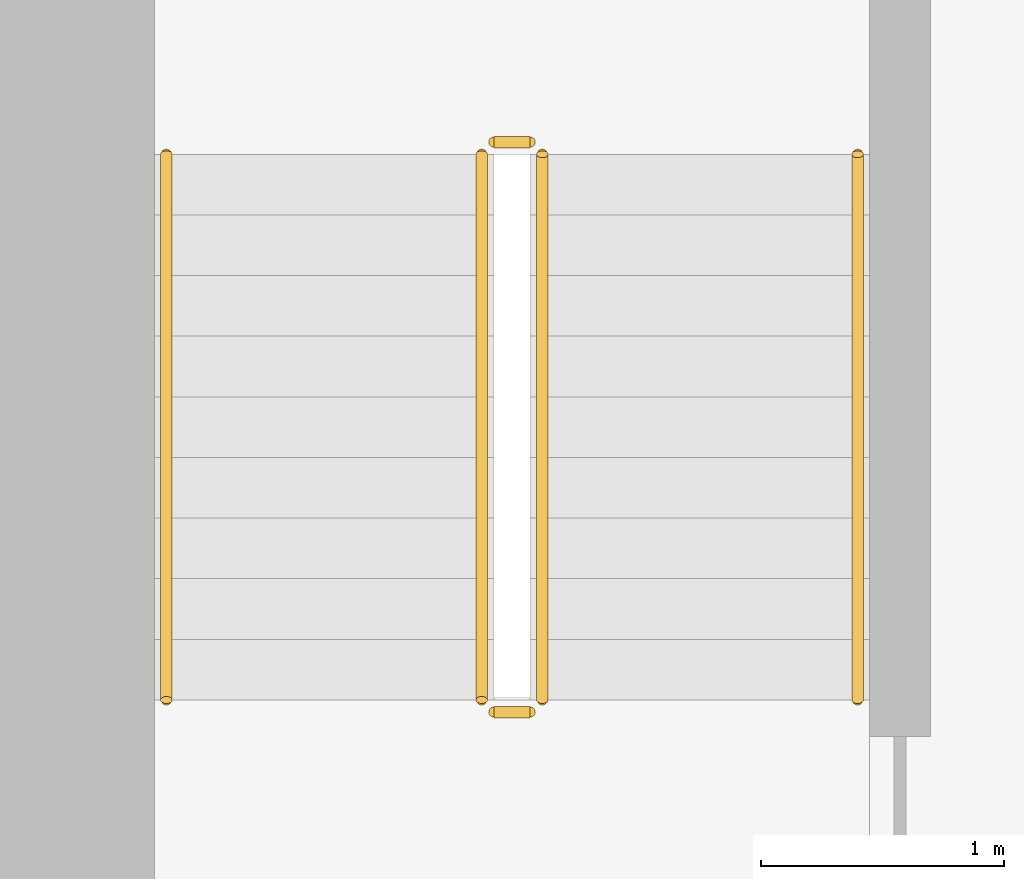
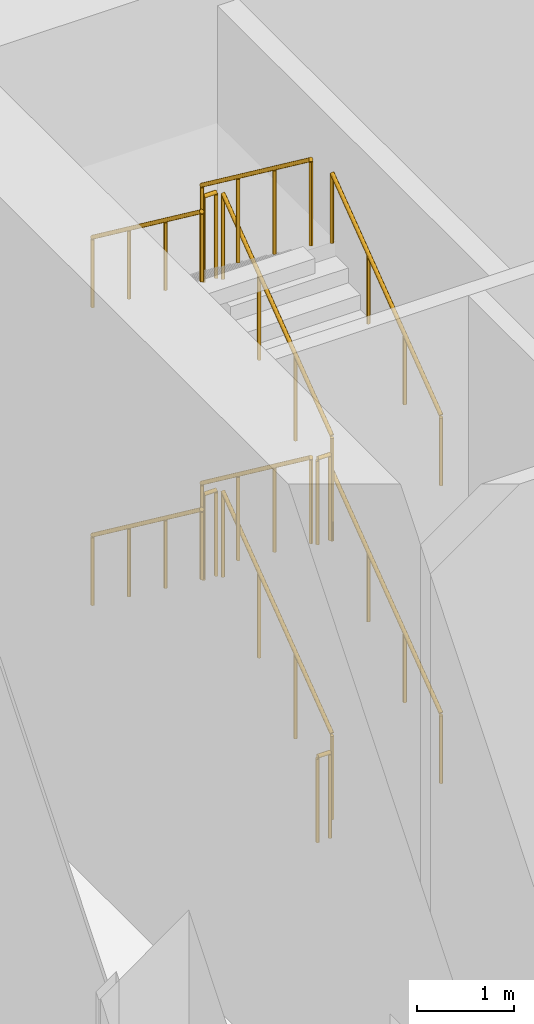
# One storey, part 15 of 18: 12 railings.
"""IFC4 building model written with IfcOpenShell, lengths in metres."""

from ifc_helpers import new_model, si_unit, direction, frame, origin, origin_2d, place, context, subcontext, project, spatial, circle, extrude, source, transform, mapped, material, type_object, element, save


model = new_model("IFC4")

# Units and contexts
model_context = context("Model", 3, precision=1e-05, world=origin(), true_north=direction((0.0, 1.0)))
body_context = subcontext(model_context, "Body", "Model", "MODEL_VIEW")
ifc_project = project(units=[si_unit("LENGTHUNIT", "METRE"), si_unit("AREAUNIT", "SQUARE_METRE"), si_unit("VOLUMEUNIT", "CUBIC_METRE"), si_unit("PLANEANGLEUNIT", "RADIAN"), si_unit("MASSUNIT", "GRAM", prefix="KILO")], contexts=[model_context])

# Site, building, storey
site_placement = place(None, origin())
site = spatial("IfcSite", under=ifc_project, at=site_placement, CompositionType="ELEMENT")
building_placement = place(site_placement, origin())
building = spatial("IfcBuilding", under=site, at=building_placement, Name="Aurelian Terraces", CompositionType="ELEMENT")
storey_placement = place(building_placement, frame((0.0, 0.0, 170.3)))
storey = spatial("IfcBuildingStorey", under=building, at=storey_placement, Name="L37", CompositionType="ELEMENT", Elevation=170.3)

# Railings
ifc_material = material(Name="Stainless steel", Category="steel")
railing_type_1 = type_object("IfcRailingType", Name="Stair guard 1100", PredefinedType="GUARDRAIL", material=ifc_material)
shared_shape_1 = source(origin(), body_context, "Body", "SweptSolid", [
    extrude(circle(Radius=0.024, at=origin_2d()), frame((0.0, 0.0, 1.076), z_axis=(-1.0, 0.0, 0.0), x_axis=(0.0, -1.0, 0.0)), (0.0, 0.0, 1.0), 0.15),
    extrude(circle(Radius=0.021, at=origin_2d()), origin(), (0.0, 0.0, 1.0), 1.052),
    extrude(circle(Radius=0.021, at=origin_2d()), frame((-0.15, 0.0, 0.0)), (0.0, 0.0, 1.0), 1.052),
])
for number, where, name in (
    (1, (5.75, 18.6, 1.875), "L37 S1 stair guard 2"),
    (2, (5.75, 16.25, 3.75), "L37 S1 stair guard 4"),
    (3, (5.75, 18.6, 5.625), "L37 S1 stair guard 6"),
    (4, (5.75, 16.25, 0.0), "L37 S1 stair guard 8"),
):
    element("IfcRailing", number, at=place(storey_placement, frame(where)), inside=storey, type_object=railing_type_1, Name=name, PredefinedType="GUARDRAIL", context=body_context, shape_type="MappedRepresentation", body=[
        mapped(shared_shape_1, transform((0.0, 0.0, 0.0), scale=1.0)),
    ])
shared_shape_2 = source(origin(), body_context, "Body", "SweptSolid", [
    extrude(circle(Radius=0.024, at=origin_2d()), frame((0.0, 0.0, 1.076), z_axis=(0.0, 0.8, 0.6), x_axis=(-1.0, 0.0, 0.0)), (0.0, 0.0, 1.0), 2.8125),
    extrude(circle(Radius=0.021, at=origin_2d()), origin(), (0.0, 0.0, 1.0), 1.052),
    extrude(circle(Radius=0.021, at=origin_2d()), frame((0.0, 0.75, 0.5625)), (0.0, 0.0, 1.0), 1.052),
    extrude(circle(Radius=0.021, at=origin_2d()), frame((0.0, 1.5, 1.125)), (0.0, 0.0, 1.0), 1.052),
    extrude(circle(Radius=0.021, at=origin_2d()), frame((0.0, 2.25, 1.6875)), (0.0, 0.0, 1.0), 1.052),
])
for number, where, name in (
    (5, (5.8, 16.3, 0.1875), "L37 S1 stair guard 1"),
    (6, (5.8, 16.3, 3.9375), "L37 S1 stair guard 5"),
):
    element("IfcRailing", number, at=place(storey_placement, frame(where)), inside=storey, type_object=railing_type_1, Name=name, PredefinedType="GUARDRAIL", context=body_context, shape_type="MappedRepresentation", body=[
        mapped(shared_shape_2, transform((0.0, 0.0, 0.0), scale=1.0)),
    ])
shared_shape_3 = source(origin(), body_context, "Body", "SweptSolid", [
    extrude(circle(Radius=0.024, at=origin_2d()), frame((0.0, 0.0, 1.076), z_axis=(0.0, -0.8, 0.6), x_axis=(1.0, 0.0, 0.0)), (0.0, 0.0, 1.0), 2.8125),
    extrude(circle(Radius=0.021, at=origin_2d()), origin(), (0.0, 0.0, 1.0), 1.052),
    extrude(circle(Radius=0.021, at=origin_2d()), frame((0.0, -0.75, 0.5625)), (0.0, 0.0, 1.0), 1.052),
    extrude(circle(Radius=0.021, at=origin_2d()), frame((0.0, -1.5, 1.125)), (0.0, 0.0, 1.0), 1.052),
    extrude(circle(Radius=0.021, at=origin_2d()), frame((0.0, -2.25, 1.6875)), (0.0, 0.0, 1.0), 1.052),
])
for number, where, name in (
    (7, (5.55, 18.55, 2.0625), "L37 S1 stair guard 3"),
    (8, (5.55, 18.55, 5.8125), "L37 S1 stair guard 7"),
):
    element("IfcRailing", number, at=place(storey_placement, frame(where)), inside=storey, type_object=railing_type_1, Name=name, PredefinedType="GUARDRAIL", context=body_context, shape_type="MappedRepresentation", body=[
        mapped(shared_shape_3, transform((0.0, 0.0, 0.0), scale=1.0)),
    ])
railing_type_2 = type_object("IfcRailingType", Name="Stair handrail", PredefinedType="HANDRAIL", material=ifc_material)
shared_shape_4 = source(origin(), body_context, "Body", "SweptSolid", [
    extrude(circle(Radius=0.024, at=origin_2d()), frame((0.0, 0.0, 0.876), z_axis=(0.0, 0.8, 0.6), x_axis=(-1.0, 0.0, 0.0)), (0.0, 0.0, 1.0), 2.8125),
    extrude(circle(Radius=0.021, at=origin_2d()), origin(), (0.0, 0.0, 1.0), 0.852),
    extrude(circle(Radius=0.021, at=origin_2d()), frame((0.0, 0.75, 0.5625)), (0.0, 0.0, 1.0), 0.852),
    extrude(circle(Radius=0.021, at=origin_2d()), frame((0.0, 1.5, 1.125)), (0.0, 0.0, 1.0), 0.852),
    extrude(circle(Radius=0.021, at=origin_2d()), frame((0.0, 2.25, 1.6875)), (0.0, 0.0, 1.0), 0.852),
])
for number, where, name in (
    (9, (7.1, 16.3, 0.1875), "L37 S1 stair handrail 1"),
    (10, (7.1, 16.3, 3.9375), "L37 S1 stair handrail 3"),
):
    element("IfcRailing", number, at=place(storey_placement, frame(where)), inside=storey, type_object=railing_type_2, Name=name, PredefinedType="HANDRAIL", context=body_context, shape_type="MappedRepresentation", body=[
        mapped(shared_shape_4, transform((0.0, 0.0, 0.0), scale=1.0)),
    ])
shared_shape_5 = source(origin(), body_context, "Body", "SweptSolid", [
    extrude(circle(Radius=0.024, at=origin_2d()), frame((0.0, 0.0, 0.876), z_axis=(0.0, -0.8, 0.6), x_axis=(1.0, 0.0, 0.0)), (0.0, 0.0, 1.0), 2.8125),
    extrude(circle(Radius=0.021, at=origin_2d()), origin(), (0.0, 0.0, 1.0), 0.852),
    extrude(circle(Radius=0.021, at=origin_2d()), frame((0.0, -0.75, 0.5625)), (0.0, 0.0, 1.0), 0.852),
    extrude(circle(Radius=0.021, at=origin_2d()), frame((0.0, -1.5, 1.125)), (0.0, 0.0, 1.0), 0.852),
    extrude(circle(Radius=0.021, at=origin_2d()), frame((0.0, -2.25, 1.6875)), (0.0, 0.0, 1.0), 0.852),
])
for number, where, name in (
    (11, (4.25, 18.55, 2.0625), "L37 S1 stair handrail 2"),
    (12, (4.25, 18.55, 5.8125), "L37 S1 stair handrail 4"),
):
    element("IfcRailing", number, at=place(storey_placement, frame(where)), inside=storey, type_object=railing_type_2, Name=name, PredefinedType="HANDRAIL", context=body_context, shape_type="MappedRepresentation", body=[
        mapped(shared_shape_5, transform((0.0, 0.0, 0.0), scale=1.0)),
    ])

save(model, "model.ifc")
